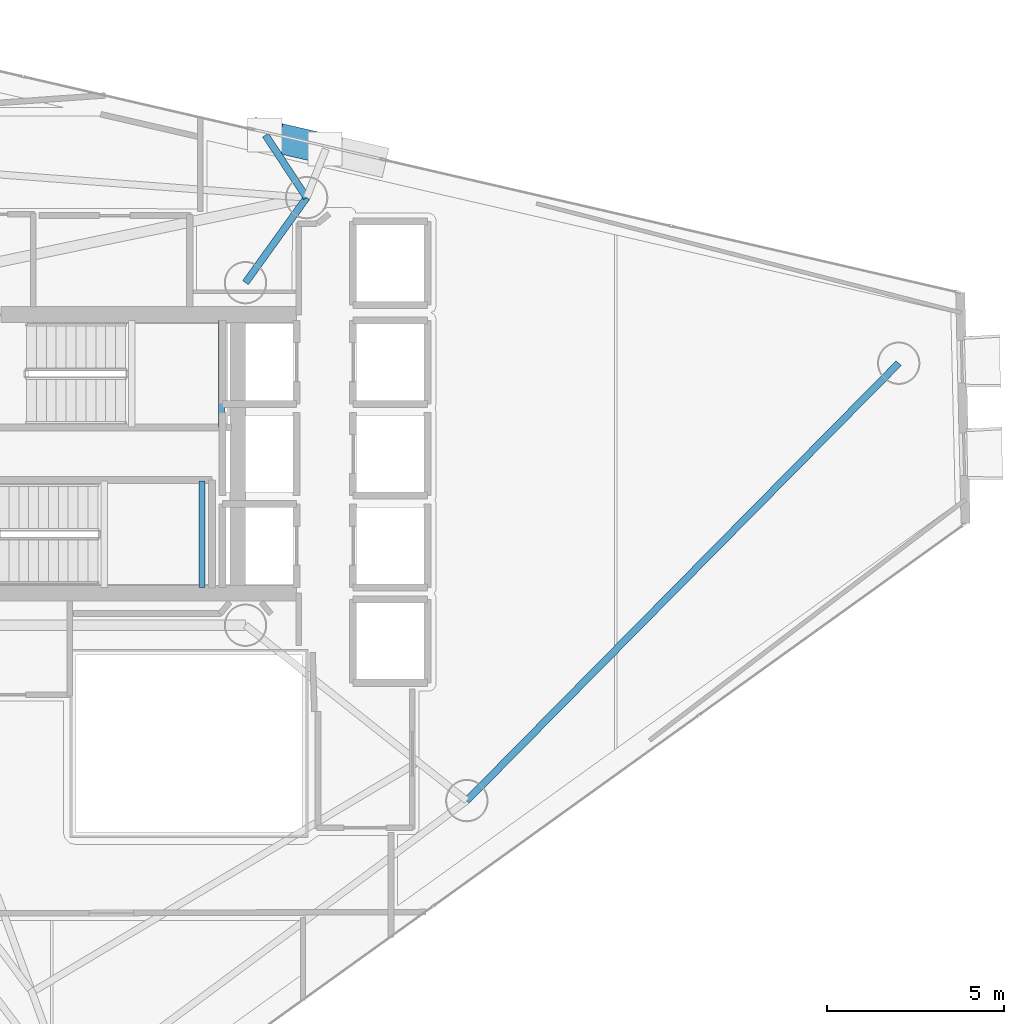
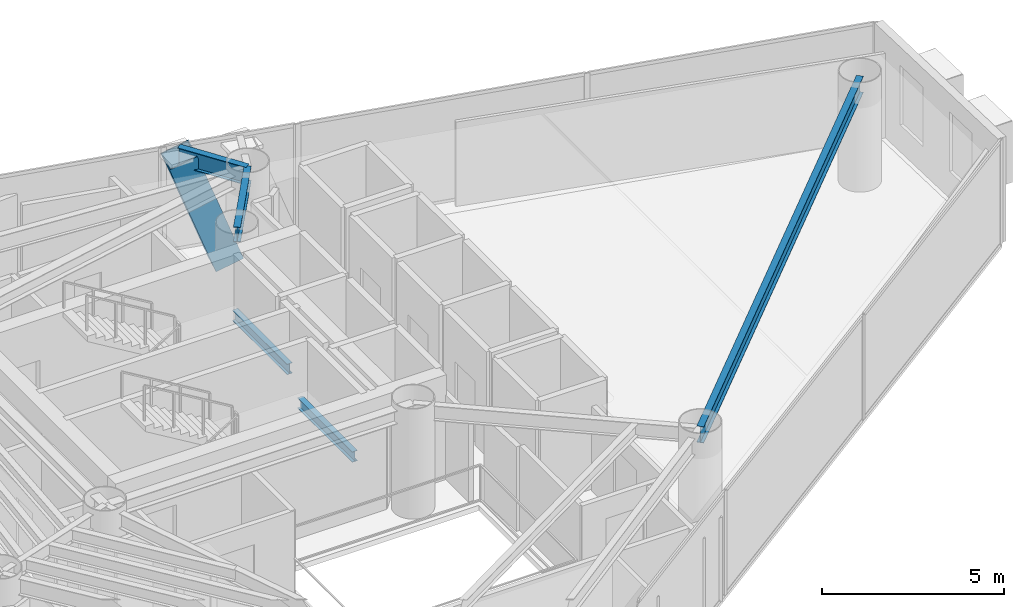
# One storey, part 12 of 22: 5 beams, 1 member.
"""IFC4 building model written with IfcOpenShell, lengths in metres."""

from ifc_helpers import new_model, si_unit, direction, frame, origin, origin_2d, place, context, subcontext, project, spatial, hollow_rectangle, i_section, extrude, material, material_profile, profile_set, type_object, element, save


model = new_model("IFC4")

# Units and contexts
model_context = context("Model", 3, precision=1e-05, world=origin(), true_north=direction((0.0, 1.0)))
body_context = subcontext(model_context, "Body", "Model", "MODEL_VIEW")
ifc_project = project(units=[si_unit("LENGTHUNIT", "METRE"), si_unit("AREAUNIT", "SQUARE_METRE"), si_unit("VOLUMEUNIT", "CUBIC_METRE"), si_unit("PLANEANGLEUNIT", "RADIAN"), si_unit("MASSUNIT", "GRAM", prefix="KILO")], contexts=[model_context])

# Site, building, storey
site_placement = place(None, origin())
site = spatial("IfcSite", under=ifc_project, at=site_placement, CompositionType="ELEMENT")
building_placement = place(site_placement, origin())
building = spatial("IfcBuilding", under=site, at=building_placement, Name="Qianvela Tower", CompositionType="ELEMENT")
storey_placement = place(building_placement, frame((0.0, 0.0, 196.60009765625)))
storey = spatial("IfcBuildingStorey", under=building, at=storey_placement, Name="L50", CompositionType="ELEMENT", Elevation=196.60009765625)

# Beams
ifc_material_1 = material(Name="Steel Q355B", Category="steel")
ifc_material_profile_1 = material_profile(ifc_material_1, i_section(OverallWidth=0.175048828125, OverallDepth=0.35009765625, WebThickness=0.007080078125, FlangeThickness=0.010986328125, at=origin_2d()), Name="HN350x175x7x11")
ifc_profile_set_1 = profile_set([ifc_material_profile_1], Name="Steel Q355B")
beam_type_1 = type_object("IfcBeamType", Name="BM-HN350-JOIST", PredefinedType="JOIST", material=ifc_profile_set_1)
for number, where, z_axis, x_axis, name in (
    (1, (37.719970703125, 29.4599609375, 1.474853515625), (0.0, 1.0, 0.0), (-1.0, 0.0, 0.0), "L50 Stair ST-1 Landing Support Beam 1.2"),
    (2, (37.169921875, 24.919921875, 1.474853515625), (0.0, 1.0, 0.0), (-1.0, 0.0, 0.0), "L50 Stair ST-2 Landing Support Beam 1.2"),
):
    element("IfcBeam", number, at=place(storey_placement, frame(where, z_axis=z_axis, x_axis=x_axis)), inside=storey, type_object=beam_type_1, Name=name, PredefinedType="JOIST", context=body_context, shape_type="SweptSolid", body=[
        extrude(i_section(OverallWidth=0.175048828125, OverallDepth=0.35009765625, WebThickness=0.007080078125, FlangeThickness=0.010986328125, at=origin_2d()), origin(), (0.0, 0.0, 1.0), 3.02001953125),
    ])
ifc_material_2 = material(Name="Steel Q355B", Category="steel")
ifc_material_profile_2 = material_profile(ifc_material_2, i_section(OverallWidth=0.199951171875, OverallDepth=0.5, WebThickness=0.010009765625, FlangeThickness=0.01611328125, at=origin_2d()), Name="HN500x200x10x16")
ifc_profile_set_2 = profile_set([ifc_material_profile_2], Name="Steel Q355B")
beam_type_2 = type_object("IfcBeamType", Name="BM-HN500-GIRD", PredefinedType="BEAM", material=ifc_profile_set_2)
beam_1_placement = place(storey_placement, frame((38.39990234375, 33.550048828125, 3.267822265625), z_axis=(0.583742907536, 0.811938555496, 0.0), x_axis=(-0.811938555496, 0.583742907536, 0.0)))
element("IfcBeam", 3, at=beam_1_placement, inside=storey, type_object=beam_type_2, Name="L50 Radial Primary Floor Girder 2", PredefinedType="BEAM", context=body_context, shape_type="SweptSolid", body=[
    extrude(i_section(OverallWidth=0.199951171875, OverallDepth=0.5, WebThickness=0.010009765625, FlangeThickness=0.01611328125, at=origin_2d()), origin(), (0.0, 0.0, 1.0), 2.965576171875),
])
ifc_material_3 = material(Name="Steel Q355B", Category="steel")
ifc_material_profile_3 = material_profile(ifc_material_3, i_section(OverallWidth=0.199951171875, OverallDepth=0.550048828125, WebThickness=0.010009765625, FlangeThickness=0.01611328125, at=origin_2d()), Name="HN550x200x10x16")
ifc_profile_set_3 = profile_set([ifc_material_profile_3], Name="Steel Q355B")
beam_type_3 = type_object("IfcBeamType", Name="BM-HN550-GIRD", PredefinedType="BEAM", material=ifc_profile_set_3)
beam_2_placement = place(storey_placement, frame((44.6669921875, 18.883056640625, 3.242919921875), z_axis=(0.702583270685, 0.711601537205, 0.0), x_axis=(-0.711601537205, 0.702583270685, 0.0)))
element("IfcBeam", 4, at=beam_2_placement, inside=storey, type_object=beam_type_3, Name="L50 Perimeter Ring Spandrel Girder 6", PredefinedType="BEAM", context=body_context, shape_type="SweptSolid", body=[
    extrude(i_section(OverallWidth=0.199951171875, OverallDepth=0.550048828125, WebThickness=0.010009765625, FlangeThickness=0.01611328125, at=origin_2d()), origin(), (0.0, 0.0, 1.0), 17.4072265625),
])
ifc_material_4 = material(Name="Steel Q355B", Category="steel")
ifc_material_profile_4 = material_profile(ifc_material_4, i_section(OverallWidth=0.199951171875, OverallDepth=0.60009765625, WebThickness=0.010986328125, FlangeThickness=0.01708984375, at=origin_2d()), Name="HN600x200x11x17")
ifc_profile_set_4 = profile_set([ifc_material_profile_4], Name="Steel Q355B")
beam_type_4 = type_object("IfcBeamType", Name="BM-HN600-GIRD", PredefinedType="BEAM", material=ifc_profile_set_4)
beam_3_placement = place(storey_placement, frame((40.131103515625, 35.9580078125, 3.218017578125), z_axis=(-0.549929778873, 0.835210894511, 0.0), x_axis=(-0.835210894511, -0.549929778873, 0.0)))
element("IfcBeam", 5, at=beam_3_placement, inside=storey, type_object=beam_type_4, Name="L50 Mega-Brace Column Tie Bracket F1-2", PredefinedType="BEAM", context=body_context, shape_type="SweptSolid", body=[
    extrude(i_section(OverallWidth=0.199951171875, OverallDepth=0.60009765625, WebThickness=0.010986328125, FlangeThickness=0.01708984375, at=origin_2d()), origin(), (0.0, 0.0, 1.0), 2.1181640625),
])

# Member
ifc_material_5 = material(Name="Steel Q420GJC", Category="steel")
ifc_material_profile_5 = material_profile(ifc_material_5, hollow_rectangle(XDim=0.85009765625, YDim=0.85009765625, WallThickness=0.031982421875, at=origin_2d()), Name="MBOX-850x850x32")
ifc_profile_set_5 = profile_set([ifc_material_profile_5], Name="Steel Q420GJC")
member_type = type_object("IfcMemberType", Name="MBR-MBRACE-850", PredefinedType="BRACE", material=ifc_profile_set_5)
member_placement = place(storey_placement, frame((40.269775390625, 37.42626953125, -0.482177734375), z_axis=(-0.331284642471, 0.076445529036, 0.940428927008), x_axis=(-0.22484617766, -0.974394271531, 0.0)))
element("IfcMember", 6, at=member_placement, inside=storey, type_object=member_type, Name="L50 Tier 8 Exterior Mega-Brace F1B", PredefinedType="BRACE", context=body_context, shape_type="SweptSolid", body=[
    extrude(hollow_rectangle(XDim=0.85009765625, YDim=0.85009765625, WallThickness=0.031982421875, at=origin_2d()), origin(), (0.0, 0.0, 1.0), 3.9345703125),
])

save(model, "model.ifc")
